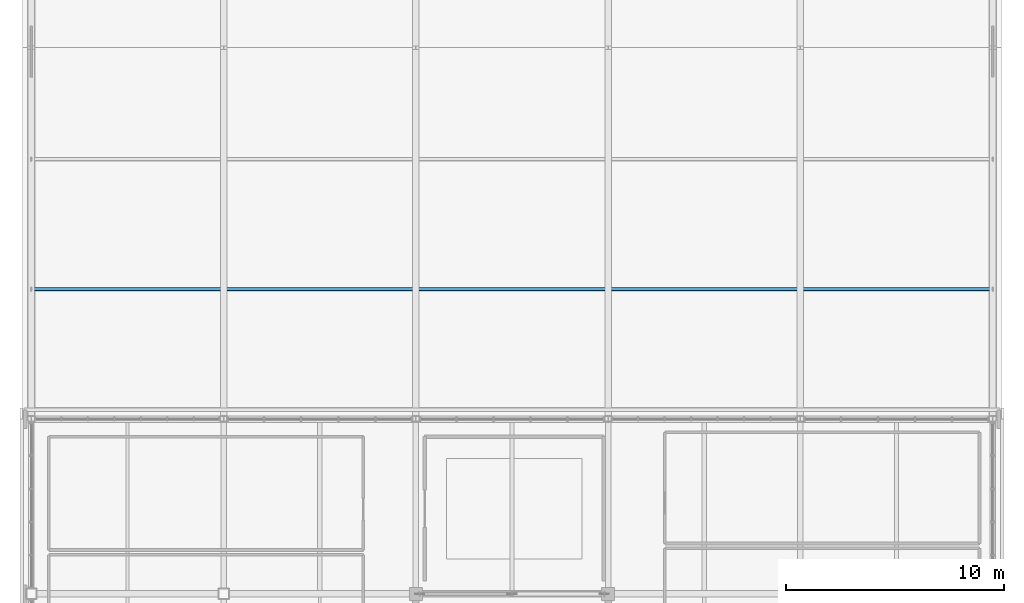
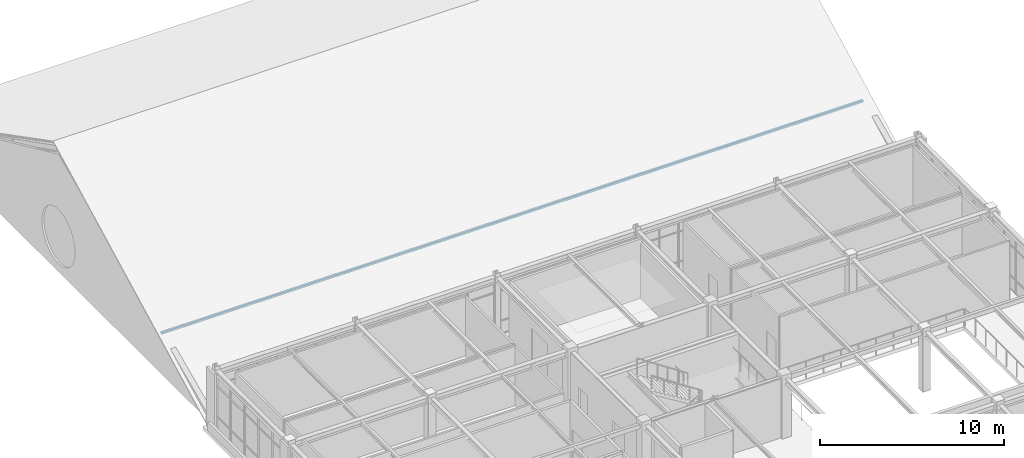
# One storey, part 16 of 45: 1 member.
"""IFC4 building model written with IfcOpenShell, lengths in metres."""

import ifcopenshell
import ifcopenshell.guid

model = None  # the IFC model being written
_history = None  # IfcOwnerHistory: only IFC2X3 demands one
_inside = {}  # id of a spatial element -> (the spatial element, [elements in it])
_under = {}  # id of a project, library or spatial element -> (it, [spatial elements below it])
_declared = {}  # id of a project -> (the project, [libraries it declares])
_typed = {}  # id of a type object -> (the type object, [elements of that type])
_made_of = {}  # id of a material, layer set ... -> (it, [elements and type objects made of it])


def new_model(schema):
    """Start an empty IFC model of exactly this schema.

    Asked for "IFC4X3", IfcOpenShell would pick the latest addendum, in which some entities
    have other attributes; the version numbers below select the first issue.
    IFC2X3 requires an IfcOwnerHistory on every rooted entity: one is made here for all.
    """
    global model, _history
    if schema == "IFC4X3":
        model = ifcopenshell.file(schema_version=(4, 3, 0, 0))
    else:
        model = ifcopenshell.file(schema=schema)
    _inside.clear()
    _under.clear()
    _declared.clear()
    _typed.clear()
    _made_of.clear()
    _history = None
    if model.schema == "IFC2X3":
        org = make("IfcOrganization", Name="unknown")
        user = make(
            "IfcPersonAndOrganization",
            ThePerson=make("IfcPerson", FamilyName="unknown"),
            TheOrganization=org,
        )
        app = make(
            "IfcApplication",
            ApplicationDeveloper=org,
            Version="unknown",
            ApplicationFullName="unknown",
            ApplicationIdentifier="unknown",
        )
        _history = make(
            "IfcOwnerHistory",
            OwningUser=user,
            OwningApplication=app,
            ChangeAction="ADDED",
            CreationDate=0,
        )
    return model


def make(cls, **values):
    """One entity of the class cls with the attributes given. An attribute that is None is left unset."""
    return model.create_entity(
        cls, **{name: value for name, value in values.items() if value is not None}
    )


def rooted(cls, **values):
    """An entity with a GlobalId (a new one), such as an element, a storey or a relation."""
    return make(cls, GlobalId=ifcopenshell.guid.new(), OwnerHistory=_history, **values)


def si_unit(unit_type, name, prefix=None):
    """IfcSIUnit, for example si_unit("LENGTHUNIT", "METRE", prefix="MILLI")."""
    return make("IfcSIUnit", UnitType=unit_type, Prefix=prefix, Name=name)


def assignment(units):
    """IfcUnitAssignment: the units of a project."""
    return None if units is None else make("IfcUnitAssignment", Units=units)


def point(xyz):
    """IfcCartesianPoint."""
    return None if xyz is None else make("IfcCartesianPoint", Coordinates=xyz)


def direction(xyz):
    """IfcDirection."""
    return None if xyz is None else make("IfcDirection", DirectionRatios=xyz)


def frame(location, z_axis=None, x_axis=None):
    """IfcAxis2Placement3D, a coordinate frame: its origin and axes. An axis left out is left unset."""
    return make(
        "IfcAxis2Placement3D",
        Location=point(location),
        Axis=direction(z_axis),
        RefDirection=direction(x_axis),
    )


def frame_2d(location, x_axis=None):
    """IfcAxis2Placement2D, a coordinate frame in the plane: its origin and x axis."""
    return make(
        "IfcAxis2Placement2D", Location=point(location), RefDirection=direction(x_axis)
    )


def origin():
    """The frame at (0, 0, 0) with its axes left unset."""
    return frame((0.0, 0.0, 0.0))


def origin_2d():
    """The frame at (0, 0) in the plane with its x axis left unset."""
    return frame_2d((0.0, 0.0))


def place(relative_to, where):
    """IfcLocalPlacement: puts the frame where relative to a parent placement (None: the world)."""
    return make(
        "IfcLocalPlacement", PlacementRelTo=relative_to, RelativePlacement=where
    )


def context(
    kind, dimensions, precision=None, world=None, true_north=None, identifier=None
):
    """IfcGeometricRepresentationContext, for example the 3D "Model" context."""
    return make(
        "IfcGeometricRepresentationContext",
        ContextIdentifier=identifier,
        ContextType=kind,
        CoordinateSpaceDimension=dimensions,
        Precision=precision,
        WorldCoordinateSystem=world,
        TrueNorth=true_north,
    )


def subcontext(parent, identifier, kind, view, scale=None):
    """IfcGeometricRepresentationSubContext, for example "Body" below "Model"."""
    return make(
        "IfcGeometricRepresentationSubContext",
        ContextIdentifier=identifier,
        ContextType=kind,
        ParentContext=parent,
        TargetScale=scale,
        TargetView=view,
    )


def project(units=None, contexts=None):
    """IfcProject with its units and contexts."""
    return rooted(
        "IfcProject",
        Name="project",
        RepresentationContexts=contexts,
        UnitsInContext=assignment(units),
    )


def spatial(cls, under=None, at=None, **own):
    """A site, building, storey or space (cls), placed at a placement, below another one or the project."""
    s = rooted(cls, ObjectPlacement=at, **own)
    if under is not None:
        _under.setdefault(under.id(), (under, []))[1].append(s)
    return s


def profile(cls, at=None, kind="AREA", **sizes):
    """A parametric profile (cls). Its sizes go by their IFC names, for example OverallWidth=200.0."""
    return make(cls, ProfileType=kind, Position=at, **sizes)


def hollow_rectangle(**sizes):
    """IfcRectangleHollowProfileDef."""
    return profile("IfcRectangleHollowProfileDef", **sizes)


def extrude(swept, where, along, depth):
    """IfcExtrudedAreaSolid: the profile swept, set in the frame where, extruded along a direction by depth."""
    return make(
        "IfcExtrudedAreaSolid",
        SweptArea=swept,
        Position=where,
        ExtrudedDirection=direction(along),
        Depth=depth,
    )


def shape(context_of_items, identifier, shape_type, items):
    """IfcShapeRepresentation: the items that make up one representation, for example the "Body"."""
    return make(
        "IfcShapeRepresentation",
        ContextOfItems=context_of_items,
        RepresentationIdentifier=identifier,
        RepresentationType=shape_type,
        Items=items,
    )


def material(Name=None, Category=None):
    """IfcMaterial."""
    return make("IfcMaterial", Name=Name, Category=Category)


def material_profile(
    of_material, cross_section, Name=None, Category=None, Priority=None
):
    """IfcMaterialProfile: a cross section and its material."""
    return make(
        "IfcMaterialProfile",
        Name=Name,
        Material=of_material,
        Profile=cross_section,
        Priority=Priority,
        Category=Category,
    )


def profile_set(profiles, Name=None, composite=None):
    """IfcMaterialProfileSet."""
    return make(
        "IfcMaterialProfileSet",
        Name=Name,
        MaterialProfiles=profiles,
        CompositeProfile=composite,
    )


def made_of(thing, what):
    """Note that an element or type object is made of a material, layer set ...; save() writes the relation."""
    if what is not None:
        _made_of.setdefault(what.id(), (what, []))[1].append(thing)
    return thing


def type_object(cls, material=None, **own):
    """A type object (cls), such as IfcWallType, which elements share."""
    return made_of(rooted(cls, **own), material)


def element(
    cls,
    number,
    at=None,
    inside=None,
    cuts=None,
    type_object=None,
    material=None,
    context=None,
    identifier="Body",
    shape_type=None,
    held_by="IfcProductDefinitionShape",
    body=None,
    shapes=None,
    **own,
):
    """One element of the class cls, such as IfcWall. Its Tag is "e" and its number.

    at: its placement. inside: the storey or other place that contains it. cuts: it is an
    opening in that element (IfcRelVoidsElement). A single representation is given by context,
    identifier, shape_type and body (its items); several are given by shapes. held_by: the class
    of the entity that holds the representations. save() writes the other relations.
    """
    e = rooted(cls, Tag="e%d" % number, ObjectPlacement=at, **own)
    if body is not None:
        shapes = [shape(context, identifier, shape_type, body)]
    if shapes is not None:
        e.Representation = make(held_by, Representations=shapes)
    if inside is not None:
        _inside.setdefault(inside.id(), (inside, []))[1].append(e)
    if cuts is not None:
        rooted(
            "IfcRelVoidsElement", RelatingBuildingElement=cuts, RelatedOpeningElement=e
        )
    if type_object is not None:
        _typed.setdefault(type_object.id(), (type_object, []))[1].append(e)
    return made_of(e, material)


def aggregate(whole, parts):
    """IfcRelAggregates: a whole, such as a stair, and the parts it consists of."""
    return rooted("IfcRelAggregates", RelatingObject=whole, RelatedObjects=parts)


def save(model, path):
    """Write the relations noted so far, then the file.

    IfcRelAggregates (storeys below a building ...), IfcRelContainedInSpatialStructure (elements
    in a storey), IfcRelDefinesByType, IfcRelAssociatesMaterial and IfcRelDeclares: one each for
    every whole, place, type object, material and project.
    """
    for whole, parts in _under.values():
        aggregate(whole, parts)
    for where, things in _inside.values():
        rooted(
            "IfcRelContainedInSpatialStructure",
            RelatedElements=things,
            RelatingStructure=where,
        )
    for kind, things in _typed.values():
        rooted("IfcRelDefinesByType", RelatedObjects=things, RelatingType=kind)
    for what, things in _made_of.values():
        rooted("IfcRelAssociatesMaterial", RelatedObjects=things, RelatingMaterial=what)
    for by, libraries in _declared.values():
        rooted("IfcRelDeclares", RelatingContext=by, RelatedDefinitions=libraries)
    model.write(path)


model = new_model("IFC4")

# Units and contexts
model_context = context("Model", 3, precision=1e-05, world=origin(), true_north=direction((0.0, 1.0)))
body_context = subcontext(model_context, "Body", "Model", "MODEL_VIEW")
ifc_project = project(units=[si_unit("LENGTHUNIT", "METRE"), si_unit("AREAUNIT", "SQUARE_METRE"), si_unit("VOLUMEUNIT", "CUBIC_METRE"), si_unit("PLANEANGLEUNIT", "RADIAN"), si_unit("MASSUNIT", "GRAM", prefix="KILO")], contexts=[model_context])

# Site, building, storey
site_placement = place(None, origin())
site = spatial("IfcSite", under=ifc_project, at=site_placement, CompositionType="ELEMENT")
building_placement = place(site_placement, origin())
building = spatial("IfcBuilding", under=site, at=building_placement, Name="Zhaolan Boulevard Law Courts", CompositionType="ELEMENT")
storey_placement = place(building_placement, frame((0.0, 0.0, 24.60009765625)))
storey = spatial("IfcBuildingStorey", under=building, at=storey_placement, Name="L05", CompositionType="ELEMENT", Elevation=24.60009765625)

# Member
ifc_material = material(Name="Structural steel Q355B", Category="steel")
ifc_material_profile = material_profile(ifc_material, hollow_rectangle(XDim=0.14990234375, YDim=0.14990234375, WallThickness=0.008056640625, InnerFilletRadius=0.008056640625, OuterFilletRadius=0.01611328125, at=origin_2d()), Name="HSS150x150x8")
ifc_profile_set = profile_set([ifc_material_profile], Name="Structural steel Q355B")
member_type = type_object("IfcMemberType", Name="PURLIN HSS150 S", PredefinedType="PURLIN", material=ifc_profile_set)
member_placement = place(storey_placement, frame((0.0, 83.949951171875, 2.700927734375), z_axis=(1.0, 0.0, 0.0), x_axis=(0.0, 1.0, 0.0)))
element("IfcMember", 1, at=member_placement, inside=storey, type_object=member_type, Name="Library Roof Purlin LPR-S1", PredefinedType="PURLIN", context=body_context, shape_type="SweptSolid", body=[
    extrude(hollow_rectangle(XDim=0.14990234375, YDim=0.14990234375, WallThickness=0.008056640625, InnerFilletRadius=0.008056640625, OuterFilletRadius=0.01611328125, at=origin_2d()), origin(), (0.0, 0.0, 1.0), 44.0),
])

save(model, "model.ifc")
